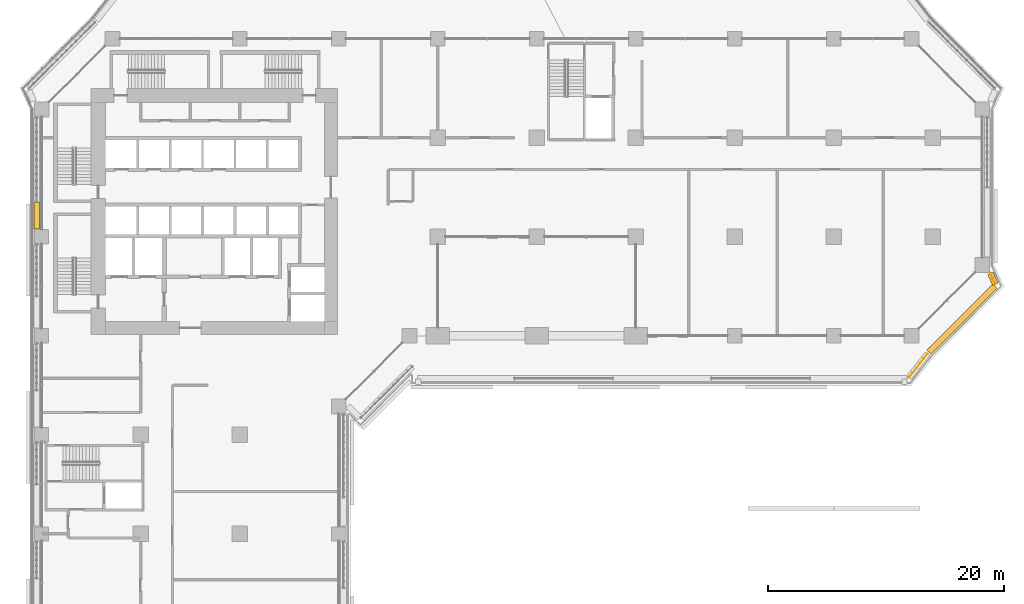
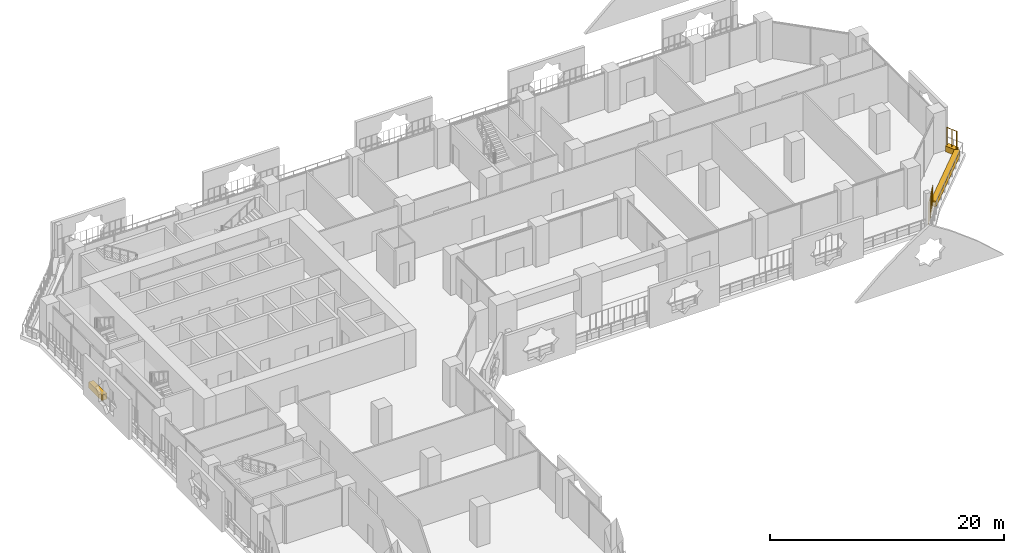
# One storey, part 24 of 27: 3 coverings, 2 railings.
"""IFC4 building model written with IfcOpenShell, lengths in metres."""

from ifc_helpers import new_model, si_unit, direction, frame, origin, origin_2d, place, context, subcontext, project, spatial, rectangle, circle, extrude, material, material_profile, profile_set, type_object, element, save


model = new_model("IFC4")

# Units and contexts
model_context = context("Model", 3, precision=1e-05, world=origin(), true_north=direction((0.0, 1.0)))
body_context = subcontext(model_context, "Body", "Model", "MODEL_VIEW")
ifc_project = project(units=[si_unit("LENGTHUNIT", "METRE"), si_unit("AREAUNIT", "SQUARE_METRE"), si_unit("VOLUMEUNIT", "CUBIC_METRE"), si_unit("PLANEANGLEUNIT", "RADIAN"), si_unit("MASSUNIT", "GRAM", prefix="KILO")], contexts=[model_context])

# Site, building, storey
site_placement = place(None, origin())
site = spatial("IfcSite", under=ifc_project, at=site_placement, CompositionType="ELEMENT")
building_placement = place(site_placement, origin())
building = spatial("IfcBuilding", under=site, at=building_placement, Name="Kawkab Arch Medical Tower", CompositionType="ELEMENT")
storey_placement = place(building_placement, frame((0.0, 0.0, 39.199951171875)))
storey = spatial("IfcBuildingStorey", under=building, at=storey_placement, Name="L08", CompositionType="ELEMENT", Elevation=39.199951171875)

# Coverings
ifc_material_1 = material(Name="Planting soil in a precast trough", Category="concrete")
ifc_material_profile = material_profile(ifc_material_1, rectangle(XDim=0.5, YDim=0.60009765625, at=origin_2d()), Name="Trough 500x600")
ifc_profile_set = profile_set([ifc_material_profile], Name="Planting soil in a precast trough")
covering_type = type_object("IfcCoveringType", Name="Planter trough 500 x 600", PredefinedType="USERDEFINED", material=ifc_profile_set)
covering_1_placement = place(storey_placement, frame((-0.419921875, -16.1201171875, 0.300048828125), z_axis=(0.0, 1.0, 0.0), x_axis=(-1.0, 0.0, 0.0)))
element("IfcCovering", 1, at=covering_1_placement, inside=storey, type_object=covering_type, Name="Planter L08.LOG-01-01.20", ObjectType="PLANTER", PredefinedType="USERDEFINED", context=body_context, shape_type="SweptSolid", body=[
    extrude(rectangle(XDim=0.5, YDim=0.60009765625, at=origin_2d()), origin(), (0.0, 0.0, 1.0), 2.26416015625),
])
covering_2_placement = place(storey_placement, frame((80.48095703125, -19.89794921875, 0.300048828125), z_axis=(0.415071571878, -0.909788761317, 0.0), x_axis=(0.909788761317, 0.415071571878, 0.0)))
element("IfcCovering", 2, at=covering_2_placement, inside=storey, type_object=covering_type, Name="Planter L08.LOG-01-01.39", ObjectType="PLANTER", PredefinedType="USERDEFINED", context=body_context, shape_type="SweptSolid", body=[
    extrude(rectangle(XDim=0.5, YDim=0.60009765625, at=origin_2d()), origin(), (0.0, 0.0, 1.0), 1.0146484375),
])
covering_3_placement = place(storey_placement, frame((80.873046875, -20.98291015625, 0.300048828125), z_axis=(-0.707106781187, -0.707106781187, 0.0), x_axis=(0.707106781187, -0.707106781187, 0.0)))
element("IfcCovering", 3, at=covering_3_placement, inside=storey, type_object=covering_type, Name="Planter L08.LOG-01-01.40", ObjectType="PLANTER", PredefinedType="USERDEFINED", context=body_context, shape_type="SweptSolid", body=[
    extrude(rectangle(XDim=0.5, YDim=0.60009765625, at=origin_2d()), origin(), (0.0, 0.0, 1.0), 7.919677734375),
])

# Railings
ifc_material_2 = material(Name="Bronze anodised aluminium trellis for climbing plants", Category="aluminium")
railing_type = type_object("IfcRailingType", Name="Planting trellis 2400", PredefinedType="USERDEFINED", material=ifc_material_2)
railing_1_placement = place(storey_placement, frame((80.48095703125, -19.89794921875, 0.0)))
element("IfcRailing", 4, at=railing_1_placement, inside=storey, type_object=railing_type, Name="Planting trellis L08.LOG-01-01.39", ObjectType="TRELLIS", PredefinedType="USERDEFINED", context=body_context, shape_type="SweptSolid", body=[
    extrude(circle(Radius=0.01513671875, at=origin_2d()), frame((0.0, 0.0, 2.384765625), z_axis=(0.415071571878, -0.909788761317, 0.0), x_axis=(0.909788761317, 0.415071571878, 0.0)), (0.0, 0.0, 1.0), 1.0146484375),
    extrude(circle(Radius=0.030029296875, at=origin_2d()), origin(), (0.0, 0.0, 1.0), 2.369873046875),
    extrude(circle(Radius=0.030029296875, at=origin_2d()), frame((0.21044921875, -0.46142578125, 0.0)), (0.0, 0.0, 1.0), 2.369873046875),
    extrude(circle(Radius=0.030029296875, at=origin_2d()), frame((0.421142578125, -0.923095703125, 0.0)), (0.0, 0.0, 1.0), 2.369873046875),
])
railing_2_placement = place(storey_placement, frame((75.14111328125, -26.73193359375, 0.0)))
element("IfcRailing", 5, at=railing_2_placement, inside=storey, type_object=railing_type, Name="Planting trellis L08.LOG-01-01.41", ObjectType="TRELLIS", PredefinedType="USERDEFINED", context=body_context, shape_type="SweptSolid", body=[
    extrude(circle(Radius=0.01513671875, at=origin_2d()), frame((0.0, 0.0, 2.384765625), z_axis=(-0.614099956103, -0.789228258436, 0.0), x_axis=(0.789228258436, -0.614099956103, 0.0)), (0.0, 0.0, 1.0), 2.545654296875),
    extrude(circle(Radius=0.030029296875, at=origin_2d()), origin(), (0.0, 0.0, 1.0), 2.369873046875),
    extrude(circle(Radius=0.030029296875, at=origin_2d()), frame((-0.312744140625, -0.40185546875, 0.0)), (0.0, 0.0, 1.0), 2.369873046875),
    extrude(circle(Radius=0.030029296875, at=origin_2d()), frame((-0.625244140625, -0.8037109375, 0.0)), (0.0, 0.0, 1.0), 2.369873046875),
    extrude(circle(Radius=0.030029296875, at=origin_2d()), frame((-0.93798828125, -1.205322265625, 0.0)), (0.0, 0.0, 1.0), 2.369873046875),
    extrude(circle(Radius=0.030029296875, at=origin_2d()), frame((-1.25048828125, -1.607177734375, 0.0)), (0.0, 0.0, 1.0), 2.369873046875),
    extrude(circle(Radius=0.030029296875, at=origin_2d()), frame((-1.563232421875, -2.009033203125, 0.0)), (0.0, 0.0, 1.0), 2.369873046875),
])

save(model, "model.ifc")
